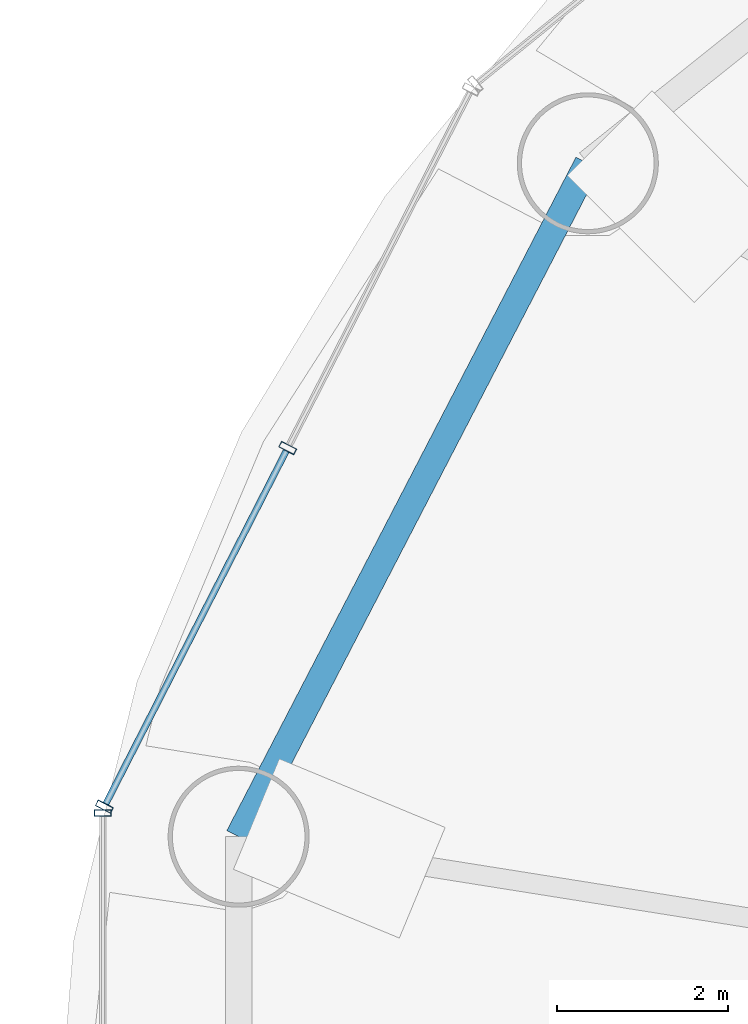
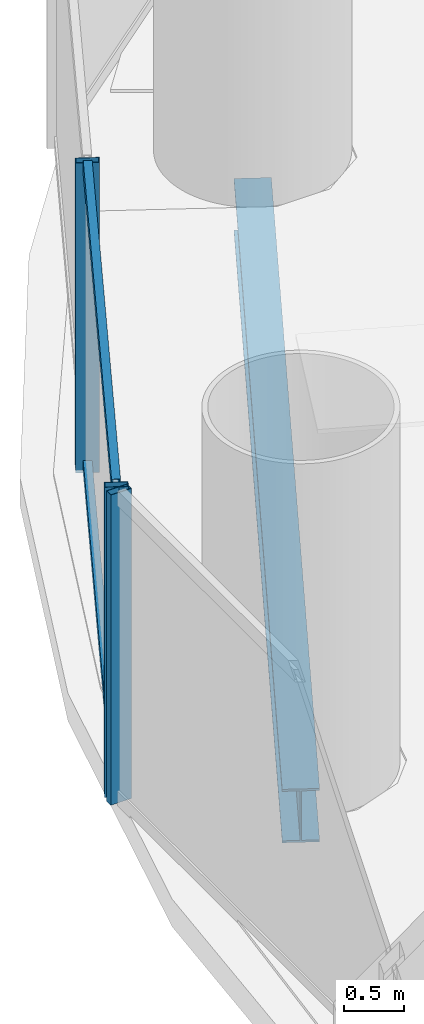
# One storey, part 8 of 29: 5 members, 1 beam, 2 elements without a shape of their own.
"""IFC4 building model written with IfcOpenShell, lengths in metres."""

from ifc_helpers import new_model, si_unit, direction, frame, origin, origin_2d, place, context, subcontext, project, spatial, hollow_rectangle, i_section, extrude, source, transform, mapped, material, material_profile, profile_set, type_object, element, aggregate, save


model = new_model("IFC4")

# Units and contexts
model_context = context("Model", 3, precision=1e-05, world=origin(), true_north=direction((-0.2419218956, 0.970295726276)))
body_context = subcontext(model_context, "Body", "Model", "MODEL_VIEW")
ifc_project = project(units=[si_unit("LENGTHUNIT", "METRE"), si_unit("AREAUNIT", "SQUARE_METRE"), si_unit("VOLUMEUNIT", "CUBIC_METRE"), si_unit("PLANEANGLEUNIT", "RADIAN"), si_unit("MASSUNIT", "GRAM", prefix="KILO")], contexts=[model_context])

# Site, building, storey
site_placement = place(None, origin())
site = spatial("IfcSite", under=ifc_project, at=site_placement, CompositionType="ELEMENT")
building_placement = place(site_placement, origin())
building = spatial("IfcBuilding", under=site, at=building_placement, Name="Cobrevalo Terracotta Tower", CompositionType="ELEMENT")
storey_placement = place(building_placement, frame((0.0, 0.0, 70.800048828125)))
storey = spatial("IfcBuildingStorey", under=building, at=storey_placement, Name="L18", CompositionType="ELEMENT", Elevation=70.800048828125)

# Beam
ifc_material_1 = material(Name="Steel S355", Category="steel")
ifc_material_profile_1 = material_profile(ifc_material_1, i_section(OverallWidth=0.31201171875, OverallDepth=0.54296875, WebThickness=0.0126953125, FlangeThickness=0.020263671875, at=origin_2d()), Name="W 530x150")
ifc_profile_set_1 = profile_set([ifc_material_profile_1], Name="Steel S355")
beam_type = type_object("IfcBeamType", Name="Structural Spandrel W 530x150 (Steel S355)", PredefinedType="SPANDREL", material=ifc_profile_set_1)
beam_placement = place(storey_placement, frame((15.25927734375, 38.939208984375, -0.551513671875), z_axis=(-0.460285838799, -0.88777077368, 0.0), x_axis=(0.88777077368, -0.460285838799, 0.0)))
element("IfcBeam", 1, at=beam_placement, inside=storey, type_object=beam_type, Name="L18 perimeter ring spandrel 07", PredefinedType="SPANDREL", context=body_context, shape_type="SweptSolid", body=[
    extrude(i_section(OverallWidth=0.31201171875, OverallDepth=0.54296875, WebThickness=0.0126953125, FlangeThickness=0.020263671875, at=origin_2d()), origin(), (0.0, 0.0, 1.0), 8.8720703125),
])

# Curtain wall, members
ifc_material_2 = material(Name="Anodized aluminium", Category="aluminium")
curtain_wall_type = type_object("IfcCurtainWallType", Name="Lower-tower unitised acoustic low-E curtain wall CW-U1", PredefinedType="NOTDEFINED", material=ifc_material_2)
curtain_wall_1_placement = place(storey_placement, origin())
curtain_wall_1 = element("IfcCurtainWall", 2, at=curtain_wall_1_placement, inside=storey, type_object=curtain_wall_type, Name="L18 curtain wall CW-L18-S07", PredefinedType="NOTDEFINED")
ifc_material_profile_2 = material_profile(ifc_material_2, hollow_rectangle(XDim=0.074951171875, YDim=0.14990234375, WallThickness=0.00439453125, at=origin_2d()), Name="CWT 75x150")
ifc_profile_set_2 = profile_set([ifc_material_profile_2], Name="Anodized aluminium")
member_type_1 = type_object("IfcMemberType", Name="Tower unitised aluminium transom 75x150", PredefinedType="USERDEFINED", material=ifc_profile_set_2)
shared_shape_1 = source(origin(), body_context, "Body", "SweptSolid", [
    extrude(hollow_rectangle(XDim=0.074951171875, YDim=0.14990234375, WallThickness=0.00439453125, at=origin_2d()), origin(), (0.0, 0.0, 1.0), 4.631103515625),
])
member_1_placement = place(storey_placement, frame((11.731201171875, 35.573486328125, 0.050048828125), z_axis=(-0.455208584993, -0.890384829245, 0.0), x_axis=(0.890384829245, -0.455208584993, 0.0)))
member_1 = element("IfcMember", 3, at=member_1_placement, type_object=member_type_1, Name="CW-L18-S07 transom B02-T1", ObjectType="TRANSOM", PredefinedType="USERDEFINED", context=body_context, shape_type="MappedRepresentation", body=[
    mapped(shared_shape_1, transform((0.0, 0.0, 0.0), scale=1.0)),
])
member_2_placement = place(storey_placement, frame((11.731201171875, 35.573486328125, 3.099853515625), z_axis=(-0.455208584993, -0.890384829245, 0.0), x_axis=(0.890384829245, -0.455208584993, 0.0)))
member_2 = element("IfcMember", 4, at=member_2_placement, type_object=member_type_1, Name="CW-L18-S07 transom B02-T2", ObjectType="TRANSOM", PredefinedType="USERDEFINED", context=body_context, shape_type="MappedRepresentation", body=[
    mapped(shared_shape_1, transform((0.0, 0.0, 0.0), scale=1.0)),
])
ifc_material_profile_3 = material_profile(ifc_material_2, hollow_rectangle(XDim=0.074951171875, YDim=0.199951171875, WallThickness=0.0048828125, at=origin_2d()), Name="CWM 75x200")
ifc_profile_set_3 = profile_set([ifc_material_profile_3], Name="Anodized aluminium")
member_type_2 = type_object("IfcMemberType", Name="Lower/mid tower unitised mullion 75x200", PredefinedType="MULLION", material=ifc_profile_set_3)
shared_shape_2 = source(origin(), body_context, "Body", "SweptSolid", [
    extrude(hollow_rectangle(XDim=0.074951171875, YDim=0.199951171875, WallThickness=0.0048828125, at=origin_2d()), origin(), (0.0, 0.0, 1.0), 3.14990234375),
])
member_3_placement = place(storey_placement, frame((11.74951171875, 35.60888671875, 0.0), z_axis=(0.0, 0.0, 1.0), x_axis=(-0.455234136597, -0.890371765543, 0.0)))
member_3 = element("IfcMember", 5, at=member_3_placement, type_object=member_type_2, Name="CW-L18-S07 vertical mullion 02", PredefinedType="MULLION", context=body_context, shape_type="MappedRepresentation", body=[
    mapped(shared_shape_2, transform((0.0, 0.0, 0.0), scale=1.0)),
])
member_4_placement = place(storey_placement, frame((9.60498046875, 31.414306640625, 0.0), z_axis=(0.0, 0.0, 1.0), x_axis=(-0.455234136597, -0.890371765543, 0.0)))
member_4 = element("IfcMember", 6, at=member_4_placement, type_object=member_type_2, Name="CW-L18-S07 vertical mullion 03", PredefinedType="MULLION", context=body_context, shape_type="MappedRepresentation", body=[
    mapped(shared_shape_2, transform((0.0, 0.0, 0.0), scale=1.0)),
])
aggregate(curtain_wall_1, [member_3, member_4, member_1, member_2])

# Curtain wall, member
curtain_wall_2_placement = place(storey_placement, origin())
curtain_wall_2 = element("IfcCurtainWall", 7, at=curtain_wall_2_placement, inside=storey, type_object=curtain_wall_type, Name="L18 curtain wall CW-L18-S08", PredefinedType="NOTDEFINED")
member_5_placement = place(storey_placement, frame((9.586669921875, 31.3388671875, 0.0), z_axis=(0.0, 0.0, 1.0), x_axis=(0.0, -1.0, 0.0)))
member_5 = element("IfcMember", 8, at=member_5_placement, type_object=member_type_2, Name="CW-L18-S08 vertical mullion 01", PredefinedType="MULLION", context=body_context, shape_type="MappedRepresentation", body=[
    mapped(shared_shape_2, transform((0.0, 0.0, 0.0), scale=1.0)),
])
aggregate(curtain_wall_2, [member_5])

save(model, "model.ifc")
